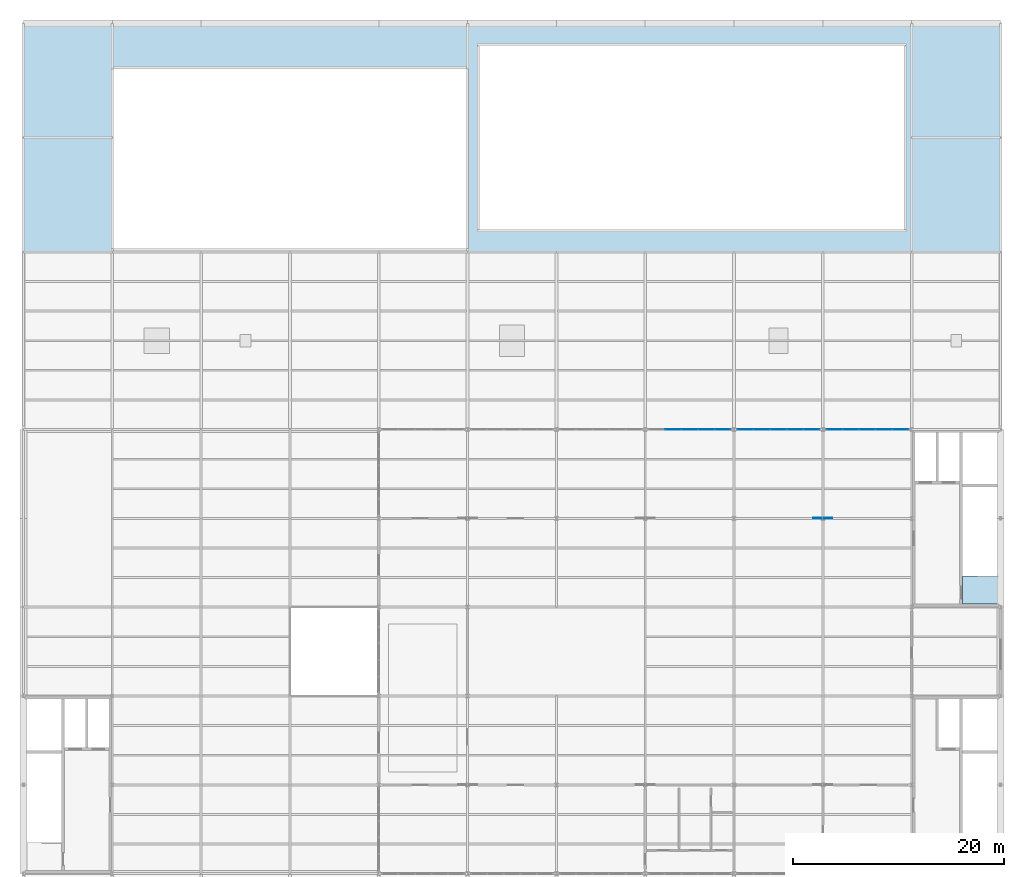
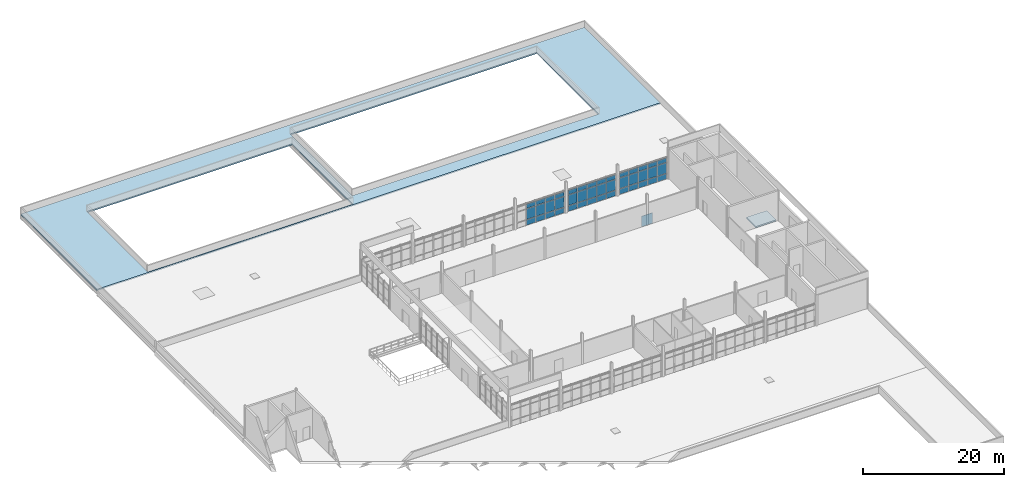
# One storey, part 27 of 33: 43 plates, 2 slabs, 3 elements without a shape of their own.
"""IFC4 building model written with IfcOpenShell, lengths in metres."""

from ifc_helpers import new_model, si_unit, direction, frame, origin, origin_2d, place, context, subcontext, project, spatial, polyline, rectangle, outline, extrude, material, layer, layer_set, type_object, element, aggregate, save


model = new_model("IFC4")

# Units and contexts
model_context = context("Model", 3, precision=1e-05, world=origin(), true_north=direction((0.0, 1.0)))
body_context = subcontext(model_context, "Body", "Model", "MODEL_VIEW")
ifc_project = project(units=[si_unit("LENGTHUNIT", "METRE"), si_unit("AREAUNIT", "SQUARE_METRE"), si_unit("VOLUMEUNIT", "CUBIC_METRE"), si_unit("PLANEANGLEUNIT", "RADIAN"), si_unit("MASSUNIT", "GRAM", prefix="KILO"), si_unit("THERMODYNAMICTEMPERATUREUNIT", "KELVIN"), si_unit("POWERUNIT", "WATT")], contexts=[model_context])

# Site, building, storey
site_placement = place(None, origin())
site = spatial("IfcSite", under=ifc_project, at=site_placement, CompositionType="ELEMENT")
building_placement = place(site_placement, origin())
building = spatial("IfcBuilding", under=site, at=building_placement, Name="Tembeka Court Mobility Hub", CompositionType="ELEMENT")
storey_placement = place(building_placement, frame((0.0, 0.0, 23.39990234375)))
storey = spatial("IfcBuildingStorey", under=building, at=storey_placement, Name="L06", CompositionType="ELEMENT", Elevation=23.39990234375)

# Plate
ifc_material_1 = material(Name="Framed galvanised steel sports court rebound mesh panel", Category="steel")
ifc_layer_1 = layer(ifc_material_1, 0.075927734375)
ifc_layer_set_1 = layer_set([ifc_layer_1], Name="Framed galvanised steel sports court rebound mesh panel")
plate_type_1 = type_object("IfcPlateType", Name="PL-AC02", PredefinedType="SHEET", material=ifc_layer_set_1)
plate_1_placement = place(storey_placement, frame((75.60009765625, 72.0, 0.0), z_axis=(0.0, 0.0, 1.0), x_axis=(1.0, 0.0, 0.0)))
element("IfcPlate", 1, at=plate_1_placement, inside=storey, type_object=plate_type_1, Name="Sports court rebound mesh panel AP02-3", PredefinedType="SHEET", context=body_context, shape_type="SweptSolid", body=[
    extrude(rectangle(XDim=1.800048828125, YDim=0.075927734375, at=origin_2d()), origin(), (0.0, 0.0, 1.0), 1.800048828125),
])

# Curtain wall, plates
ifc_material_2 = material(Name="Anodised aluminium 6063-T6", Category="aluminium")
ifc_layer_2 = layer(ifc_material_2, 0.159912109375)
ifc_layer_set_2 = layer_set([ifc_layer_2], Name="Anodised aluminium 6063-T6")
curtain_wall_type = type_object("IfcCurtainWallType", Name="CW-SYS57", PredefinedType="USERDEFINED", material=ifc_layer_set_2)
curtain_wall_1_placement = place(storey_placement, origin())
curtain_wall_1 = element("IfcCurtainWall", 2, at=curtain_wall_1_placement, inside=storey, type_object=curtain_wall_type, Name="Unitised curtain wall CW57 (CW-L06-159)", ObjectType="UNITISED GLAZING", PredefinedType="USERDEFINED")
ifc_material_3 = material(Name="Laminated solar-control low-E glass", Category="glass")
ifc_layer_3 = layer(ifc_material_3, 0.028076171875)
ifc_layer_set_3 = layer_set([ifc_layer_3], Name="Laminated solar-control low-E glass")
plate_type_2 = type_object("IfcPlateType", Name="PL-CW01", PredefinedType="CURTAIN_PANEL", material=ifc_layer_set_3)
plate_2_placement = place(storey_placement, frame((61.431884765625, 80.39990234375, 0.06494140625), z_axis=(0.0, 0.0, 1.0), x_axis=(1.0, 0.0, 0.0)))
plate_2 = element("IfcPlate", 3, at=plate_2_placement, type_object=plate_type_2, Name="CW57 panel 2.1", PredefinedType="CURTAIN_PANEL", context=body_context, shape_type="SweptSolid", body=[
    extrude(rectangle(XDim=1.5029296875, YDim=0.028076171875, at=origin_2d()), origin(), (0.0, 0.0, 1.0), 0.952392578125),
])
plate_3_placement = place(storey_placement, frame((61.431884765625, 80.39990234375, 1.08251953125), z_axis=(0.0, 0.0, 1.0), x_axis=(1.0, 0.0, 0.0)))
plate_3 = element("IfcPlate", 4, at=plate_3_placement, type_object=plate_type_2, Name="CW57 panel 2.2", PredefinedType="CURTAIN_PANEL", context=body_context, shape_type="SweptSolid", body=[
    extrude(rectangle(XDim=1.5029296875, YDim=0.028076171875, at=origin_2d()), origin(), (0.0, 0.0, 1.0), 1.830078125),
])
plate_4_placement = place(storey_placement, frame((61.431884765625, 80.39990234375, 2.9775390625), z_axis=(0.0, 0.0, 1.0), x_axis=(1.0, 0.0, 0.0)))
plate_4 = element("IfcPlate", 5, at=plate_4_placement, type_object=plate_type_2, Name="CW57 panel 2.3", PredefinedType="CURTAIN_PANEL", context=body_context, shape_type="SweptSolid", body=[
    extrude(rectangle(XDim=1.5029296875, YDim=0.028076171875, at=origin_2d()), origin(), (0.0, 0.0, 1.0), 0.75244140625),
])
plate_5_placement = place(storey_placement, frame((63.0, 80.39990234375, 0.06494140625), z_axis=(0.0, 0.0, 1.0), x_axis=(1.0, 0.0, 0.0)))
plate_5 = element("IfcPlate", 6, at=plate_5_placement, type_object=plate_type_2, Name="CW57 panel 3.1", PredefinedType="CURTAIN_PANEL", context=body_context, shape_type="SweptSolid", body=[
    extrude(rectangle(XDim=1.5029296875, YDim=0.028076171875, at=origin_2d()), origin(), (0.0, 0.0, 1.0), 0.952392578125),
])
plate_6_placement = place(storey_placement, frame((63.0, 80.39990234375, 1.08251953125), z_axis=(0.0, 0.0, 1.0), x_axis=(1.0, 0.0, 0.0)))
plate_6 = element("IfcPlate", 7, at=plate_6_placement, type_object=plate_type_2, Name="CW57 panel 3.2", PredefinedType="CURTAIN_PANEL", context=body_context, shape_type="SweptSolid", body=[
    extrude(rectangle(XDim=1.5029296875, YDim=0.028076171875, at=origin_2d()), origin(), (0.0, 0.0, 1.0), 1.830078125),
])
plate_7_placement = place(storey_placement, frame((63.0, 80.39990234375, 2.9775390625), z_axis=(0.0, 0.0, 1.0), x_axis=(1.0, 0.0, 0.0)))
plate_7 = element("IfcPlate", 8, at=plate_7_placement, type_object=plate_type_2, Name="CW57 panel 3.3", PredefinedType="CURTAIN_PANEL", context=body_context, shape_type="SweptSolid", body=[
    extrude(rectangle(XDim=1.5029296875, YDim=0.028076171875, at=origin_2d()), origin(), (0.0, 0.0, 1.0), 0.75244140625),
])
plate_8_placement = place(storey_placement, frame((64.568115234375, 80.39990234375, 0.06494140625), z_axis=(0.0, 0.0, 1.0), x_axis=(1.0, 0.0, 0.0)))
plate_8 = element("IfcPlate", 9, at=plate_8_placement, type_object=plate_type_2, Name="CW57 panel 4.1", PredefinedType="CURTAIN_PANEL", context=body_context, shape_type="SweptSolid", body=[
    extrude(rectangle(XDim=1.5029296875, YDim=0.028076171875, at=origin_2d()), origin(), (0.0, 0.0, 1.0), 0.952392578125),
])
plate_9_placement = place(storey_placement, frame((64.568115234375, 80.39990234375, 1.08251953125), z_axis=(0.0, 0.0, 1.0), x_axis=(1.0, 0.0, 0.0)))
plate_9 = element("IfcPlate", 10, at=plate_9_placement, type_object=plate_type_2, Name="CW57 panel 4.2", PredefinedType="CURTAIN_PANEL", context=body_context, shape_type="SweptSolid", body=[
    extrude(rectangle(XDim=1.5029296875, YDim=0.028076171875, at=origin_2d()), origin(), (0.0, 0.0, 1.0), 1.830078125),
])
plate_10_placement = place(storey_placement, frame((64.568115234375, 80.39990234375, 2.9775390625), z_axis=(0.0, 0.0, 1.0), x_axis=(1.0, 0.0, 0.0)))
plate_10 = element("IfcPlate", 11, at=plate_10_placement, type_object=plate_type_2, Name="CW57 panel 4.3", PredefinedType="CURTAIN_PANEL", context=body_context, shape_type="SweptSolid", body=[
    extrude(rectangle(XDim=1.5029296875, YDim=0.028076171875, at=origin_2d()), origin(), (0.0, 0.0, 1.0), 0.75244140625),
])
plate_11_placement = place(storey_placement, frame((66.11962890625, 80.39990234375, 0.06494140625), z_axis=(0.0, 0.0, 1.0), x_axis=(1.0, 0.0, 0.0)))
plate_11 = element("IfcPlate", 12, at=plate_11_placement, type_object=plate_type_2, Name="CW57 panel 5.1", PredefinedType="CURTAIN_PANEL", context=body_context, shape_type="SweptSolid", body=[
    extrude(rectangle(XDim=1.470458984375, YDim=0.028076171875, at=origin_2d()), origin(), (0.0, 0.0, 1.0), 0.952392578125),
])
plate_12_placement = place(storey_placement, frame((66.11962890625, 80.39990234375, 1.08251953125), z_axis=(0.0, 0.0, 1.0), x_axis=(1.0, 0.0, 0.0)))
plate_12 = element("IfcPlate", 13, at=plate_12_placement, type_object=plate_type_2, Name="CW57 panel 5.2", PredefinedType="CURTAIN_PANEL", context=body_context, shape_type="SweptSolid", body=[
    extrude(rectangle(XDim=1.470458984375, YDim=0.028076171875, at=origin_2d()), origin(), (0.0, 0.0, 1.0), 1.830078125),
])
plate_13_placement = place(storey_placement, frame((66.11962890625, 80.39990234375, 2.9775390625), z_axis=(0.0, 0.0, 1.0), x_axis=(1.0, 0.0, 0.0)))
plate_13 = element("IfcPlate", 14, at=plate_13_placement, type_object=plate_type_2, Name="CW57 panel 5.3", PredefinedType="CURTAIN_PANEL", context=body_context, shape_type="SweptSolid", body=[
    extrude(rectangle(XDim=1.470458984375, YDim=0.028076171875, at=origin_2d()), origin(), (0.0, 0.0, 1.0), 0.75244140625),
])
aggregate(curtain_wall_1, [plate_2, plate_3, plate_4, plate_5, plate_6, plate_7, plate_8, plate_9, plate_10, plate_11, plate_12, plate_13])

curtain_wall_2_placement = place(storey_placement, origin())
curtain_wall_2 = element("IfcCurtainWall", 15, at=curtain_wall_2_placement, inside=storey, type_object=curtain_wall_type, Name="Unitised curtain wall CW57 (CW-L06-161)", ObjectType="UNITISED GLAZING", PredefinedType="USERDEFINED")
plate_14_placement = place(storey_placement, frame((68.2802734375, 80.39990234375, 0.06494140625), z_axis=(0.0, 0.0, 1.0), x_axis=(1.0, 0.0, 0.0)))
plate_14 = element("IfcPlate", 16, at=plate_14_placement, type_object=plate_type_2, Name="CW57 panel 1.1", PredefinedType="CURTAIN_PANEL", context=body_context, shape_type="SweptSolid", body=[
    extrude(rectangle(XDim=1.470458984375, YDim=0.028076171875, at=origin_2d()), origin(), (0.0, 0.0, 1.0), 0.952392578125),
])
plate_15_placement = place(storey_placement, frame((68.2802734375, 80.39990234375, 1.08251953125), z_axis=(0.0, 0.0, 1.0), x_axis=(1.0, 0.0, 0.0)))
plate_15 = element("IfcPlate", 17, at=plate_15_placement, type_object=plate_type_2, Name="CW57 panel 1.2", PredefinedType="CURTAIN_PANEL", context=body_context, shape_type="SweptSolid", body=[
    extrude(rectangle(XDim=1.470458984375, YDim=0.028076171875, at=origin_2d()), origin(), (0.0, 0.0, 1.0), 1.830078125),
])
plate_16_placement = place(storey_placement, frame((68.2802734375, 80.39990234375, 2.9775390625), z_axis=(0.0, 0.0, 1.0), x_axis=(1.0, 0.0, 0.0)))
plate_16 = element("IfcPlate", 18, at=plate_16_placement, type_object=plate_type_2, Name="CW57 panel 1.3", PredefinedType="CURTAIN_PANEL", context=body_context, shape_type="SweptSolid", body=[
    extrude(rectangle(XDim=1.470458984375, YDim=0.028076171875, at=origin_2d()), origin(), (0.0, 0.0, 1.0), 0.75244140625),
])
plate_17_placement = place(storey_placement, frame((69.83203125, 80.39990234375, 0.06494140625), z_axis=(0.0, 0.0, 1.0), x_axis=(1.0, 0.0, 0.0)))
plate_17 = element("IfcPlate", 19, at=plate_17_placement, type_object=plate_type_2, Name="CW57 panel 2.1", PredefinedType="CURTAIN_PANEL", context=body_context, shape_type="SweptSolid", body=[
    extrude(rectangle(XDim=1.5029296875, YDim=0.028076171875, at=origin_2d()), origin(), (0.0, 0.0, 1.0), 0.952392578125),
])
plate_18_placement = place(storey_placement, frame((69.83203125, 80.39990234375, 1.08251953125), z_axis=(0.0, 0.0, 1.0), x_axis=(1.0, 0.0, 0.0)))
plate_18 = element("IfcPlate", 20, at=plate_18_placement, type_object=plate_type_2, Name="CW57 panel 2.2", PredefinedType="CURTAIN_PANEL", context=body_context, shape_type="SweptSolid", body=[
    extrude(rectangle(XDim=1.5029296875, YDim=0.028076171875, at=origin_2d()), origin(), (0.0, 0.0, 1.0), 1.830078125),
])
plate_19_placement = place(storey_placement, frame((69.83203125, 80.39990234375, 2.9775390625), z_axis=(0.0, 0.0, 1.0), x_axis=(1.0, 0.0, 0.0)))
plate_19 = element("IfcPlate", 21, at=plate_19_placement, type_object=plate_type_2, Name="CW57 panel 2.3", PredefinedType="CURTAIN_PANEL", context=body_context, shape_type="SweptSolid", body=[
    extrude(rectangle(XDim=1.5029296875, YDim=0.028076171875, at=origin_2d()), origin(), (0.0, 0.0, 1.0), 0.75244140625),
])
plate_20_placement = place(storey_placement, frame((71.39990234375, 80.39990234375, 0.06494140625), z_axis=(0.0, 0.0, 1.0), x_axis=(1.0, 0.0, 0.0)))
plate_20 = element("IfcPlate", 22, at=plate_20_placement, type_object=plate_type_2, Name="CW57 panel 3.1", PredefinedType="CURTAIN_PANEL", context=body_context, shape_type="SweptSolid", body=[
    extrude(rectangle(XDim=1.5029296875, YDim=0.028076171875, at=origin_2d()), origin(), (0.0, 0.0, 1.0), 0.952392578125),
])
plate_21_placement = place(storey_placement, frame((71.39990234375, 80.39990234375, 1.08251953125), z_axis=(0.0, 0.0, 1.0), x_axis=(1.0, 0.0, 0.0)))
plate_21 = element("IfcPlate", 23, at=plate_21_placement, type_object=plate_type_2, Name="CW57 panel 3.2", PredefinedType="CURTAIN_PANEL", context=body_context, shape_type="SweptSolid", body=[
    extrude(rectangle(XDim=1.5029296875, YDim=0.028076171875, at=origin_2d()), origin(), (0.0, 0.0, 1.0), 1.830078125),
])
plate_22_placement = place(storey_placement, frame((71.39990234375, 80.39990234375, 2.9775390625), z_axis=(0.0, 0.0, 1.0), x_axis=(1.0, 0.0, 0.0)))
plate_22 = element("IfcPlate", 24, at=plate_22_placement, type_object=plate_type_2, Name="CW57 panel 3.3", PredefinedType="CURTAIN_PANEL", context=body_context, shape_type="SweptSolid", body=[
    extrude(rectangle(XDim=1.5029296875, YDim=0.028076171875, at=origin_2d()), origin(), (0.0, 0.0, 1.0), 0.75244140625),
])
plate_23_placement = place(storey_placement, frame((72.968017578125, 80.39990234375, 0.06494140625), z_axis=(0.0, 0.0, 1.0), x_axis=(1.0, 0.0, 0.0)))
plate_23 = element("IfcPlate", 25, at=plate_23_placement, type_object=plate_type_2, Name="CW57 panel 4.1", PredefinedType="CURTAIN_PANEL", context=body_context, shape_type="SweptSolid", body=[
    extrude(rectangle(XDim=1.5029296875, YDim=0.028076171875, at=origin_2d()), origin(), (0.0, 0.0, 1.0), 0.952392578125),
])
plate_24_placement = place(storey_placement, frame((72.968017578125, 80.39990234375, 1.08251953125), z_axis=(0.0, 0.0, 1.0), x_axis=(1.0, 0.0, 0.0)))
plate_24 = element("IfcPlate", 26, at=plate_24_placement, type_object=plate_type_2, Name="CW57 panel 4.2", PredefinedType="CURTAIN_PANEL", context=body_context, shape_type="SweptSolid", body=[
    extrude(rectangle(XDim=1.5029296875, YDim=0.028076171875, at=origin_2d()), origin(), (0.0, 0.0, 1.0), 1.830078125),
])
plate_25_placement = place(storey_placement, frame((72.968017578125, 80.39990234375, 2.9775390625), z_axis=(0.0, 0.0, 1.0), x_axis=(1.0, 0.0, 0.0)))
plate_25 = element("IfcPlate", 27, at=plate_25_placement, type_object=plate_type_2, Name="CW57 panel 4.3", PredefinedType="CURTAIN_PANEL", context=body_context, shape_type="SweptSolid", body=[
    extrude(rectangle(XDim=1.5029296875, YDim=0.028076171875, at=origin_2d()), origin(), (0.0, 0.0, 1.0), 0.75244140625),
])
plate_26_placement = place(storey_placement, frame((74.519775390625, 80.39990234375, 0.06494140625), z_axis=(0.0, 0.0, 1.0), x_axis=(1.0, 0.0, 0.0)))
plate_26 = element("IfcPlate", 28, at=plate_26_placement, type_object=plate_type_2, Name="CW57 panel 5.1", PredefinedType="CURTAIN_PANEL", context=body_context, shape_type="SweptSolid", body=[
    extrude(rectangle(XDim=1.470458984375, YDim=0.028076171875, at=origin_2d()), origin(), (0.0, 0.0, 1.0), 0.952392578125),
])
plate_27_placement = place(storey_placement, frame((74.519775390625, 80.39990234375, 1.08251953125), z_axis=(0.0, 0.0, 1.0), x_axis=(1.0, 0.0, 0.0)))
plate_27 = element("IfcPlate", 29, at=plate_27_placement, type_object=plate_type_2, Name="CW57 panel 5.2", PredefinedType="CURTAIN_PANEL", context=body_context, shape_type="SweptSolid", body=[
    extrude(rectangle(XDim=1.470458984375, YDim=0.028076171875, at=origin_2d()), origin(), (0.0, 0.0, 1.0), 1.830078125),
])
plate_28_placement = place(storey_placement, frame((74.519775390625, 80.39990234375, 2.9775390625), z_axis=(0.0, 0.0, 1.0), x_axis=(1.0, 0.0, 0.0)))
plate_28 = element("IfcPlate", 30, at=plate_28_placement, type_object=plate_type_2, Name="CW57 panel 5.3", PredefinedType="CURTAIN_PANEL", context=body_context, shape_type="SweptSolid", body=[
    extrude(rectangle(XDim=1.470458984375, YDim=0.028076171875, at=origin_2d()), origin(), (0.0, 0.0, 1.0), 0.75244140625),
])
aggregate(curtain_wall_2, [plate_14, plate_15, plate_16, plate_17, plate_18, plate_19, plate_20, plate_21, plate_22, plate_23, plate_24, plate_25, plate_26, plate_27, plate_28])

curtain_wall_3_placement = place(storey_placement, origin())
curtain_wall_3 = element("IfcCurtainWall", 31, at=curtain_wall_3_placement, inside=storey, type_object=curtain_wall_type, Name="Unitised curtain wall CW57 (CW-L06-163)", ObjectType="UNITISED GLAZING", PredefinedType="USERDEFINED")
plate_29_placement = place(storey_placement, frame((76.68017578125, 80.39990234375, 0.06494140625), z_axis=(0.0, 0.0, 1.0), x_axis=(1.0, 0.0, 0.0)))
plate_29 = element("IfcPlate", 32, at=plate_29_placement, type_object=plate_type_2, Name="CW57 panel 1.1", PredefinedType="CURTAIN_PANEL", context=body_context, shape_type="SweptSolid", body=[
    extrude(rectangle(XDim=1.470458984375, YDim=0.028076171875, at=origin_2d()), origin(), (0.0, 0.0, 1.0), 0.952392578125),
])
plate_30_placement = place(storey_placement, frame((76.68017578125, 80.39990234375, 1.08251953125), z_axis=(0.0, 0.0, 1.0), x_axis=(1.0, 0.0, 0.0)))
plate_30 = element("IfcPlate", 33, at=plate_30_placement, type_object=plate_type_2, Name="CW57 panel 1.2", PredefinedType="CURTAIN_PANEL", context=body_context, shape_type="SweptSolid", body=[
    extrude(rectangle(XDim=1.470458984375, YDim=0.028076171875, at=origin_2d()), origin(), (0.0, 0.0, 1.0), 1.830078125),
])
plate_31_placement = place(storey_placement, frame((76.68017578125, 80.39990234375, 2.9775390625), z_axis=(0.0, 0.0, 1.0), x_axis=(1.0, 0.0, 0.0)))
plate_31 = element("IfcPlate", 34, at=plate_31_placement, type_object=plate_type_2, Name="CW57 panel 1.3", PredefinedType="CURTAIN_PANEL", context=body_context, shape_type="SweptSolid", body=[
    extrude(rectangle(XDim=1.470458984375, YDim=0.028076171875, at=origin_2d()), origin(), (0.0, 0.0, 1.0), 0.75244140625),
])
plate_32_placement = place(storey_placement, frame((78.23193359375, 80.39990234375, 0.06494140625), z_axis=(0.0, 0.0, 1.0), x_axis=(1.0, 0.0, 0.0)))
plate_32 = element("IfcPlate", 35, at=plate_32_placement, type_object=plate_type_2, Name="CW57 panel 2.1", PredefinedType="CURTAIN_PANEL", context=body_context, shape_type="SweptSolid", body=[
    extrude(rectangle(XDim=1.5029296875, YDim=0.028076171875, at=origin_2d()), origin(), (0.0, 0.0, 1.0), 0.952392578125),
])
plate_33_placement = place(storey_placement, frame((78.23193359375, 80.39990234375, 1.08251953125), z_axis=(0.0, 0.0, 1.0), x_axis=(1.0, 0.0, 0.0)))
plate_33 = element("IfcPlate", 36, at=plate_33_placement, type_object=plate_type_2, Name="CW57 panel 2.2", PredefinedType="CURTAIN_PANEL", context=body_context, shape_type="SweptSolid", body=[
    extrude(rectangle(XDim=1.5029296875, YDim=0.028076171875, at=origin_2d()), origin(), (0.0, 0.0, 1.0), 1.830078125),
])
plate_34_placement = place(storey_placement, frame((78.23193359375, 80.39990234375, 2.9775390625), z_axis=(0.0, 0.0, 1.0), x_axis=(1.0, 0.0, 0.0)))
plate_34 = element("IfcPlate", 37, at=plate_34_placement, type_object=plate_type_2, Name="CW57 panel 2.3", PredefinedType="CURTAIN_PANEL", context=body_context, shape_type="SweptSolid", body=[
    extrude(rectangle(XDim=1.5029296875, YDim=0.028076171875, at=origin_2d()), origin(), (0.0, 0.0, 1.0), 0.75244140625),
])
plate_35_placement = place(storey_placement, frame((79.800048828125, 80.39990234375, 0.06494140625), z_axis=(0.0, 0.0, 1.0), x_axis=(1.0, 0.0, 0.0)))
plate_35 = element("IfcPlate", 38, at=plate_35_placement, type_object=plate_type_2, Name="CW57 panel 3.1", PredefinedType="CURTAIN_PANEL", context=body_context, shape_type="SweptSolid", body=[
    extrude(rectangle(XDim=1.5029296875, YDim=0.028076171875, at=origin_2d()), origin(), (0.0, 0.0, 1.0), 0.952392578125),
])
plate_36_placement = place(storey_placement, frame((79.800048828125, 80.39990234375, 1.08251953125), z_axis=(0.0, 0.0, 1.0), x_axis=(1.0, 0.0, 0.0)))
plate_36 = element("IfcPlate", 39, at=plate_36_placement, type_object=plate_type_2, Name="CW57 panel 3.2", PredefinedType="CURTAIN_PANEL", context=body_context, shape_type="SweptSolid", body=[
    extrude(rectangle(XDim=1.5029296875, YDim=0.028076171875, at=origin_2d()), origin(), (0.0, 0.0, 1.0), 1.830078125),
])
plate_37_placement = place(storey_placement, frame((79.800048828125, 80.39990234375, 2.9775390625), z_axis=(0.0, 0.0, 1.0), x_axis=(1.0, 0.0, 0.0)))
plate_37 = element("IfcPlate", 40, at=plate_37_placement, type_object=plate_type_2, Name="CW57 panel 3.3", PredefinedType="CURTAIN_PANEL", context=body_context, shape_type="SweptSolid", body=[
    extrude(rectangle(XDim=1.5029296875, YDim=0.028076171875, at=origin_2d()), origin(), (0.0, 0.0, 1.0), 0.75244140625),
])
plate_38_placement = place(storey_placement, frame((81.367919921875, 80.39990234375, 0.06494140625), z_axis=(0.0, 0.0, 1.0), x_axis=(1.0, 0.0, 0.0)))
plate_38 = element("IfcPlate", 41, at=plate_38_placement, type_object=plate_type_2, Name="CW57 panel 4.1", PredefinedType="CURTAIN_PANEL", context=body_context, shape_type="SweptSolid", body=[
    extrude(rectangle(XDim=1.5029296875, YDim=0.028076171875, at=origin_2d()), origin(), (0.0, 0.0, 1.0), 0.952392578125),
])
plate_39_placement = place(storey_placement, frame((81.367919921875, 80.39990234375, 1.08251953125), z_axis=(0.0, 0.0, 1.0), x_axis=(1.0, 0.0, 0.0)))
plate_39 = element("IfcPlate", 42, at=plate_39_placement, type_object=plate_type_2, Name="CW57 panel 4.2", PredefinedType="CURTAIN_PANEL", context=body_context, shape_type="SweptSolid", body=[
    extrude(rectangle(XDim=1.5029296875, YDim=0.028076171875, at=origin_2d()), origin(), (0.0, 0.0, 1.0), 1.830078125),
])
plate_40_placement = place(storey_placement, frame((81.367919921875, 80.39990234375, 2.9775390625), z_axis=(0.0, 0.0, 1.0), x_axis=(1.0, 0.0, 0.0)))
plate_40 = element("IfcPlate", 43, at=plate_40_placement, type_object=plate_type_2, Name="CW57 panel 4.3", PredefinedType="CURTAIN_PANEL", context=body_context, shape_type="SweptSolid", body=[
    extrude(rectangle(XDim=1.5029296875, YDim=0.028076171875, at=origin_2d()), origin(), (0.0, 0.0, 1.0), 0.75244140625),
])
plate_41_placement = place(storey_placement, frame((82.919677734375, 80.39990234375, 0.06494140625), z_axis=(0.0, 0.0, 1.0), x_axis=(1.0, 0.0, 0.0)))
plate_41 = element("IfcPlate", 44, at=plate_41_placement, type_object=plate_type_2, Name="CW57 panel 5.1", PredefinedType="CURTAIN_PANEL", context=body_context, shape_type="SweptSolid", body=[
    extrude(rectangle(XDim=1.470458984375, YDim=0.028076171875, at=origin_2d()), origin(), (0.0, 0.0, 1.0), 0.952392578125),
])
plate_42_placement = place(storey_placement, frame((82.919677734375, 80.39990234375, 1.08251953125), z_axis=(0.0, 0.0, 1.0), x_axis=(1.0, 0.0, 0.0)))
plate_42 = element("IfcPlate", 45, at=plate_42_placement, type_object=plate_type_2, Name="CW57 panel 5.2", PredefinedType="CURTAIN_PANEL", context=body_context, shape_type="SweptSolid", body=[
    extrude(rectangle(XDim=1.470458984375, YDim=0.028076171875, at=origin_2d()), origin(), (0.0, 0.0, 1.0), 1.830078125),
])
plate_43_placement = place(storey_placement, frame((82.919677734375, 80.39990234375, 2.9775390625), z_axis=(0.0, 0.0, 1.0), x_axis=(1.0, 0.0, 0.0)))
plate_43 = element("IfcPlate", 46, at=plate_43_placement, type_object=plate_type_2, Name="CW57 panel 5.3", PredefinedType="CURTAIN_PANEL", context=body_context, shape_type="SweptSolid", body=[
    extrude(rectangle(XDim=1.470458984375, YDim=0.028076171875, at=origin_2d()), origin(), (0.0, 0.0, 1.0), 0.75244140625),
])
aggregate(curtain_wall_3, [plate_29, plate_30, plate_31, plate_32, plate_33, plate_34, plate_35, plate_36, plate_37, plate_38, plate_39, plate_40, plate_41, plate_42, plate_43])

# Slabs
ifc_material_4 = material(Name="Concrete C40/50", Category="concrete")
ifc_layer_4 = layer(ifc_material_4, 0.199951171875)
ifc_layer_set_4 = layer_set([ifc_layer_4], Name="Concrete C40/50")
slab_type_1 = type_object("IfcSlabType", Name="SL-LD01", PredefinedType="LANDING", material=ifc_layer_set_4)
slab_1_placement = place(storey_placement, frame((0.0, 0.0, -0.25)))
element("IfcSlab", 47, at=slab_1_placement, inside=storey, type_object=slab_type_1, Name="Stair ST02 L06 floor landing slab", PredefinedType="LANDING", context=body_context, shape_type="SweptSolid", body=[
    extrude(outline(polyline([(88.800048828125, 63.89990234375), (92.10009765625, 63.89990234375), (92.10009765625, 66.550048828125), (88.800048828125, 66.550048828125), (88.800048828125, 63.89990234375)])), origin(), (0.0, 0.0, 1.0), 0.25),
])
ifc_layer_5 = layer(ifc_material_4, 0.22998046875)
ifc_layer_set_5 = layer_set([ifc_layer_5], Name="Concrete C40/50")
slab_type_2 = type_object("IfcSlabType", Name="SL-RF01", PredefinedType="ROOF", material=ifc_layer_set_5)
slab_2_placement = place(storey_placement, frame((0.0, 0.0, -0.22998046875)))
element("IfcSlab", 48, at=slab_2_placement, inside=storey, type_object=slab_type_2, Name="L06 north ramp drum and gallery roof slab", PredefinedType="ROOF", context=body_context, shape_type="SweptSolid", body=[
    extrude(outline(polyline([(0.0, 97.199951171875), (92.39990234375, 97.199951171875), (92.39990234375, 118.800048828125), (0.0, 118.800048828125), (0.0, 97.199951171875)]), holes=[polyline([(8.39990234375, 114.60009765625), (42.0, 114.60009765625), (42.0, 97.39990234375), (8.39990234375, 97.39990234375), (8.39990234375, 114.60009765625)]), polyline([(43.0, 116.800048828125), (83.39990234375, 116.800048828125), (83.39990234375, 99.199951171875), (43.0, 99.199951171875), (43.0, 116.800048828125)])]), origin(), (0.0, 0.0, 1.0), 0.22998046875),
])

save(model, "model.ifc")
